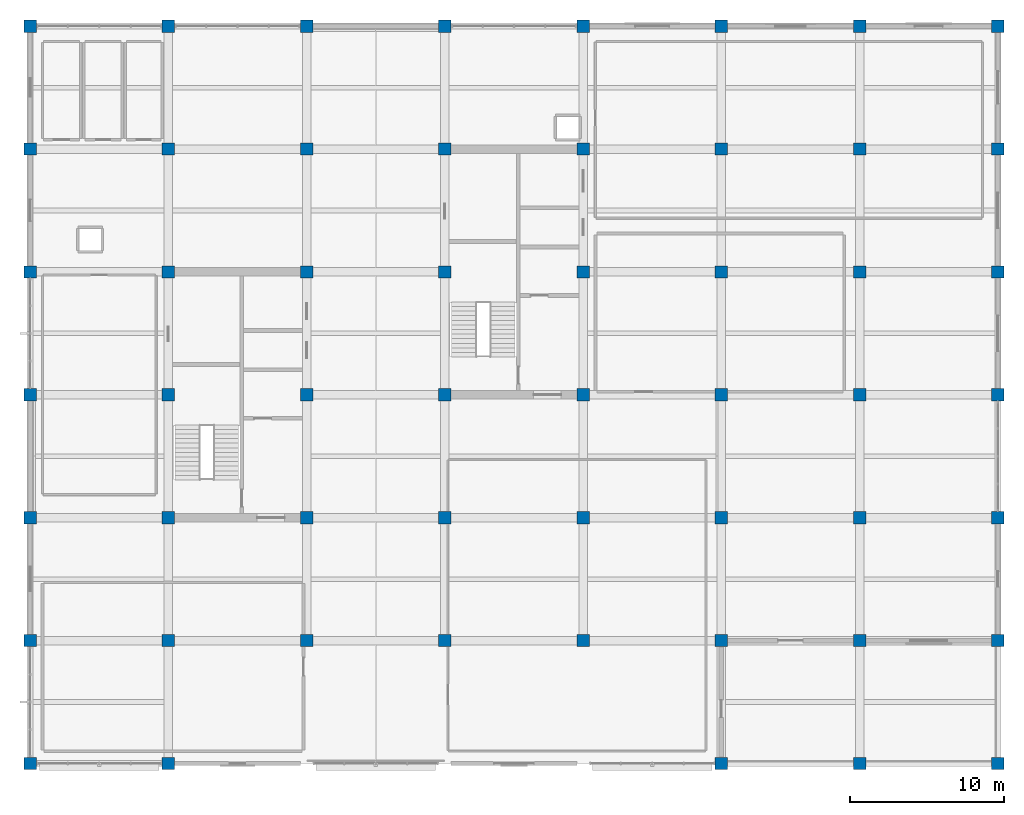
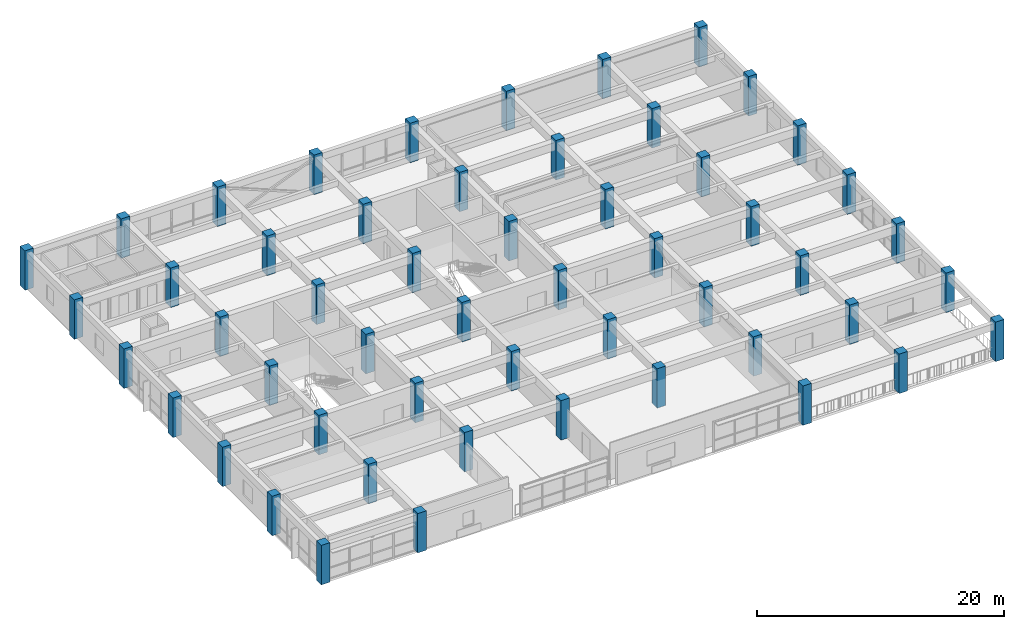
# One storey, part 1 of 17: 53 columns.
"""IFC4 building model written with IfcOpenShell, lengths in metres."""

from ifc_helpers import new_model, si_unit, direction, frame, origin, origin_2d, place, context, subcontext, project, spatial, rectangle, extrude, material, material_profile, profile_set, type_object, element, save


model = new_model("IFC4")

# Units and contexts
model_context = context("Model", 3, precision=1e-05, world=origin(), true_north=direction((0.0, 1.0)))
body_context = subcontext(model_context, "Body", "Model", "MODEL_VIEW")
ifc_project = project(units=[si_unit("LENGTHUNIT", "METRE"), si_unit("AREAUNIT", "SQUARE_METRE"), si_unit("VOLUMEUNIT", "CUBIC_METRE"), si_unit("PLANEANGLEUNIT", "RADIAN"), si_unit("MASSUNIT", "GRAM", prefix="KILO")], contexts=[model_context])

# Site, building, storey
site_placement = place(None, origin())
site = spatial("IfcSite", under=ifc_project, at=site_placement, CompositionType="ELEMENT")
building_placement = place(site_placement, origin())
building = spatial("IfcBuilding", under=site, at=building_placement, Name="Zaverband Oceanarium and Marine Research Institute", CompositionType="ELEMENT")
storey_placement = place(building_placement, frame((0.0, 0.0, 33.60009765625)))
storey = spatial("IfcBuildingStorey", under=building, at=storey_placement, Name="L08", CompositionType="ELEMENT", Elevation=33.60009765625)

# Columns
ifc_material = material(Name="Concrete C50/60", Category="concrete")
ifc_material_profile = material_profile(ifc_material, rectangle(XDim=0.800048828125, YDim=0.800048828125, at=origin_2d()), Name="RC800x800")
ifc_profile_set = profile_set([ifc_material_profile], Name="Concrete C50/60")
column_type = type_object("IfcColumnType", Name="COL-C800", PredefinedType="COLUMN", material=ifc_profile_set)
for number, where, z_axis, x_axis, name in (
    (1, (9.0, 64.0, 0.0), (0.0, 0.0, 1.0), (1.0, 0.0, 0.0), "Reinforced concrete column RC800x800 COL-C800"),
    (2, (9.0, 72.0, 0.0), (0.0, 0.0, 1.0), (1.0, 0.0, 0.0), "Reinforced concrete column RC800x800 COL-C800"),
    (3, (9.0, 80.0, 0.0), (0.0, 0.0, 1.0), (1.0, 0.0, 0.0), "Reinforced concrete column RC800x800 COL-C800"),
    (4, (9.0, 88.0, 0.0), (0.0, 0.0, 1.0), (1.0, 0.0, 0.0), "Reinforced concrete column RC800x800 COL-C800"),
    (5, (9.0, 96.0, 0.0), (0.0, 0.0, 1.0), (1.0, 0.0, 0.0), "Reinforced concrete column RC800x800 COL-C800"),
    (6, (9.0, 104.0, 0.0), (0.0, 0.0, 1.0), (1.0, 0.0, 0.0), "Reinforced concrete column RC800x800 COL-C800"),
    (7, (9.0, 112.0, 0.0), (0.0, 0.0, 1.0), (1.0, 0.0, 0.0), "Reinforced concrete column RC800x800 COL-C800"),
    (8, (18.0, 64.0, 0.0), (0.0, 0.0, 1.0), (1.0, 0.0, 0.0), "Reinforced concrete column RC800x800 COL-C800"),
    (9, (18.0, 72.0, 0.0), (0.0, 0.0, 1.0), (1.0, 0.0, 0.0), "Reinforced concrete column RC800x800 COL-C800"),
    (10, (18.0, 80.0, 0.0), (0.0, 0.0, 1.0), (1.0, 0.0, 0.0), "Reinforced concrete column RC800x800 COL-C800"),
    (11, (18.0, 88.0, 0.0), (0.0, 0.0, 1.0), (1.0, 0.0, 0.0), "Reinforced concrete column RC800x800 COL-C800"),
    (12, (18.0, 96.0, 0.0), (0.0, 0.0, 1.0), (1.0, 0.0, 0.0), "Reinforced concrete column RC800x800 COL-C800"),
    (13, (18.0, 104.0, 0.0), (0.0, 0.0, 1.0), (1.0, 0.0, 0.0), "Reinforced concrete column RC800x800 COL-C800"),
    (14, (18.0, 112.0, 0.0), (0.0, 0.0, 1.0), (1.0, 0.0, 0.0), "Reinforced concrete column RC800x800 COL-C800"),
    (15, (27.0, 72.0, 0.0), (0.0, 0.0, 1.0), (1.0, 0.0, 0.0), "Reinforced concrete column RC800x800 COL-C800"),
    (16, (27.0, 80.0, 0.0), (0.0, 0.0, 1.0), (1.0, 0.0, 0.0), "Reinforced concrete column RC800x800 COL-C800"),
    (17, (27.0, 88.0, 0.0), (0.0, 0.0, 1.0), (1.0, 0.0, 0.0), "Reinforced concrete column RC800x800 COL-C800"),
    (18, (27.0, 96.0, 0.0), (0.0, 0.0, 1.0), (1.0, 0.0, 0.0), "Reinforced concrete column RC800x800 COL-C800"),
    (19, (27.0, 104.0, 0.0), (0.0, 0.0, 1.0), (1.0, 0.0, 0.0), "Reinforced concrete column RC800x800 COL-C800"),
    (20, (27.0, 112.0, 0.0), (0.0, 0.0, 1.0), (1.0, 0.0, 0.0), "Reinforced concrete column RC800x800 COL-C800"),
    (21, (36.0, 72.0, 0.0), (0.0, 0.0, 1.0), (1.0, 0.0, 0.0), "Reinforced concrete column RC800x800 COL-C800"),
    (22, (36.0, 80.0, 0.0), (0.0, 0.0, 1.0), (1.0, 0.0, 0.0), "Reinforced concrete column RC800x800 COL-C800"),
    (23, (36.0, 88.0, 0.0), (0.0, 0.0, 1.0), (1.0, 0.0, 0.0), "Reinforced concrete column RC800x800 COL-C800"),
    (24, (36.0, 96.0, 0.0), (0.0, 0.0, 1.0), (1.0, 0.0, 0.0), "Reinforced concrete column RC800x800 COL-C800"),
    (25, (36.0, 104.0, 0.0), (0.0, 0.0, 1.0), (1.0, 0.0, 0.0), "Reinforced concrete column RC800x800 COL-C800"),
    (26, (36.0, 112.0, 0.0), (0.0, 0.0, 1.0), (1.0, 0.0, 0.0), "Reinforced concrete column RC800x800 COL-C800"),
    (27, (45.0, 72.0, 0.0), (0.0, 0.0, 1.0), (1.0, 0.0, 0.0), "Reinforced concrete column RC800x800 COL-C800"),
    (28, (45.0, 80.0, 0.0), (0.0, 0.0, 1.0), (1.0, 0.0, 0.0), "Reinforced concrete column RC800x800 COL-C800"),
    (29, (45.0, 88.0, 0.0), (0.0, 0.0, 1.0), (1.0, 0.0, 0.0), "Reinforced concrete column RC800x800 COL-C800"),
    (30, (45.0, 96.0, 0.0), (0.0, 0.0, 1.0), (1.0, 0.0, 0.0), "Reinforced concrete column RC800x800 COL-C800"),
    (31, (45.0, 104.0, 0.0), (0.0, 0.0, 1.0), (1.0, 0.0, 0.0), "Reinforced concrete column RC800x800 COL-C800"),
    (32, (45.0, 112.0, 0.0), (0.0, 0.0, 1.0), (1.0, 0.0, 0.0), "Reinforced concrete column RC800x800 COL-C800"),
    (33, (54.0, 64.0, 0.0), (0.0, 0.0, 1.0), (1.0, 0.0, 0.0), "Reinforced concrete column RC800x800 COL-C800"),
    (34, (54.0, 72.0, 0.0), (0.0, 0.0, 1.0), (1.0, 0.0, 0.0), "Reinforced concrete column RC800x800 COL-C800"),
    (35, (54.0, 80.0, 0.0), (0.0, 0.0, 1.0), (1.0, 0.0, 0.0), "Reinforced concrete column RC800x800 COL-C800"),
    (36, (54.0, 88.0, 0.0), (0.0, 0.0, 1.0), (1.0, 0.0, 0.0), "Reinforced concrete column RC800x800 COL-C800"),
    (37, (54.0, 96.0, 0.0), (0.0, 0.0, 1.0), (1.0, 0.0, 0.0), "Reinforced concrete column RC800x800 COL-C800"),
    (38, (54.0, 104.0, 0.0), (0.0, 0.0, 1.0), (1.0, 0.0, 0.0), "Reinforced concrete column RC800x800 COL-C800"),
    (39, (54.0, 112.0, 0.0), (0.0, 0.0, 1.0), (1.0, 0.0, 0.0), "Reinforced concrete column RC800x800 COL-C800"),
    (40, (63.0, 64.0, 0.0), (0.0, 0.0, 1.0), (1.0, 0.0, 0.0), "Reinforced concrete column RC800x800 COL-C800"),
    (41, (63.0, 72.0, 0.0), (0.0, 0.0, 1.0), (1.0, 0.0, 0.0), "Reinforced concrete column RC800x800 COL-C800"),
    (42, (63.0, 80.0, 0.0), (0.0, 0.0, 1.0), (1.0, 0.0, 0.0), "Reinforced concrete column RC800x800 COL-C800"),
    (43, (63.0, 88.0, 0.0), (0.0, 0.0, 1.0), (1.0, 0.0, 0.0), "Reinforced concrete column RC800x800 COL-C800"),
    (44, (63.0, 96.0, 0.0), (0.0, 0.0, 1.0), (1.0, 0.0, 0.0), "Reinforced concrete column RC800x800 COL-C800"),
    (45, (63.0, 104.0, 0.0), (0.0, 0.0, 1.0), (1.0, 0.0, 0.0), "Reinforced concrete column RC800x800 COL-C800"),
    (46, (63.0, 112.0, 0.0), (0.0, 0.0, 1.0), (1.0, 0.0, 0.0), "Reinforced concrete column RC800x800 COL-C800"),
    (47, (72.0, 64.0, 0.0), (0.0, 0.0, 1.0), (1.0, 0.0, 0.0), "Reinforced concrete column RC800x800 COL-C800"),
    (48, (72.0, 72.0, 0.0), (0.0, 0.0, 1.0), (1.0, 0.0, 0.0), "Reinforced concrete column RC800x800 COL-C800"),
    (49, (72.0, 80.0, 0.0), (0.0, 0.0, 1.0), (1.0, 0.0, 0.0), "Reinforced concrete column RC800x800 COL-C800"),
    (50, (72.0, 88.0, 0.0), (0.0, 0.0, 1.0), (1.0, 0.0, 0.0), "Reinforced concrete column RC800x800 COL-C800"),
    (51, (72.0, 96.0, 0.0), (0.0, 0.0, 1.0), (1.0, 0.0, 0.0), "Reinforced concrete column RC800x800 COL-C800"),
    (52, (72.0, 104.0, 0.0), (0.0, 0.0, 1.0), (1.0, 0.0, 0.0), "Reinforced concrete column RC800x800 COL-C800"),
    (53, (72.0, 112.0, 0.0), (0.0, 0.0, 1.0), (1.0, 0.0, 0.0), "Reinforced concrete column RC800x800 COL-C800"),
):
    element("IfcColumn", number, at=place(storey_placement, frame(where, z_axis=z_axis, x_axis=x_axis)), inside=storey, type_object=column_type, Name=name, PredefinedType="COLUMN", context=body_context, shape_type="SweptSolid", body=[
        extrude(rectangle(XDim=0.800048828125, YDim=0.800048828125, at=origin_2d()), origin(), (0.0, 0.0, 1.0), 3.89990234375),
    ])

save(model, "model.ifc")
